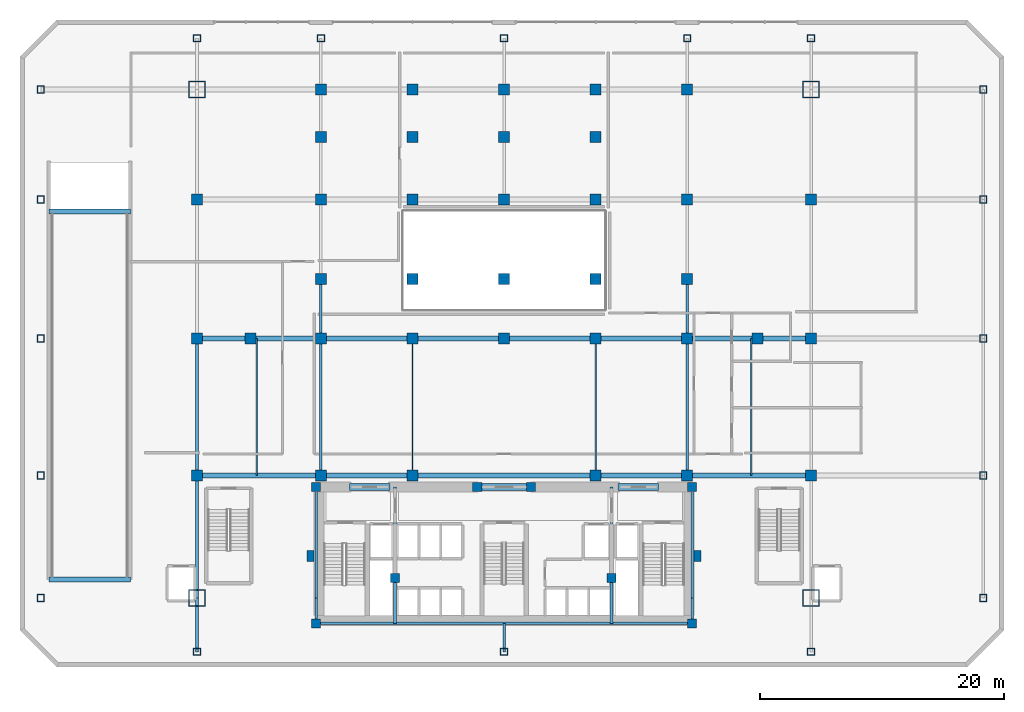
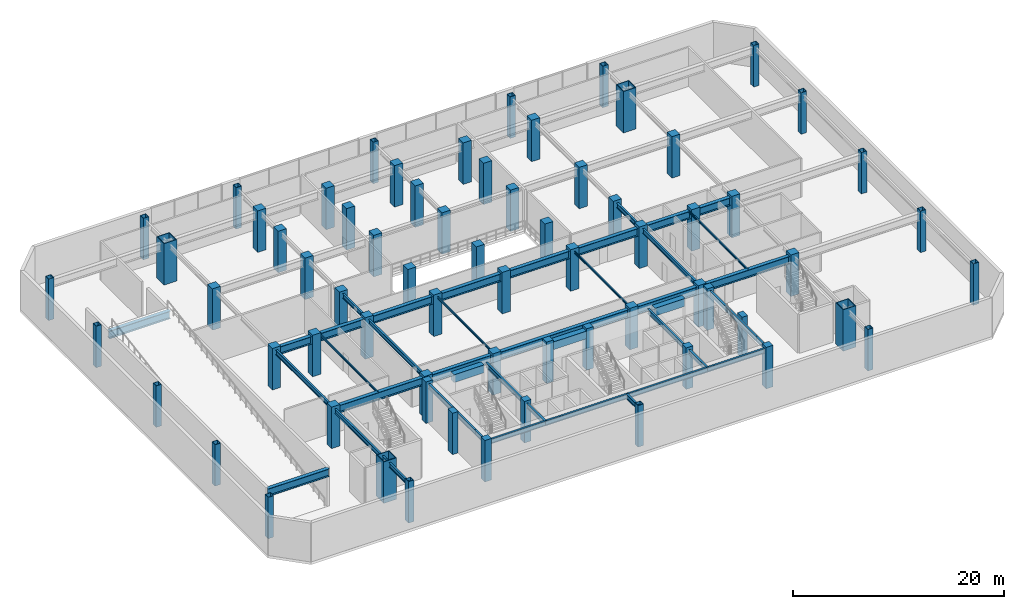
# One storey, part 1 of 15: 68 columns, 41 beams.
"""IFC4 building model written with IfcOpenShell, lengths in metres."""

from ifc_helpers import new_model, si_unit, direction, frame, origin, origin_2d, place, context, subcontext, project, spatial, rectangle, hollow_rectangle, i_section, extrude, material, material_profile, profile_set, type_object, element, save


model = new_model("IFC4")

# Units and contexts
model_context = context("Model", 3, precision=1e-05, world=origin(), true_north=direction((0.0, 1.0)))
body_context = subcontext(model_context, "Body", "Model", "MODEL_VIEW")
ifc_project = project(units=[si_unit("LENGTHUNIT", "METRE"), si_unit("AREAUNIT", "SQUARE_METRE"), si_unit("VOLUMEUNIT", "CUBIC_METRE"), si_unit("PLANEANGLEUNIT", "RADIAN"), si_unit("MASSUNIT", "GRAM", prefix="KILO")], contexts=[model_context])

# Site, building, storey
site_placement = place(None, origin())
site = spatial("IfcSite", under=ifc_project, at=site_placement, CompositionType="ELEMENT")
building_placement = place(site_placement, origin())
building = spatial("IfcBuilding", under=site, at=building_placement, Name="Ventersveld Concourse Tower", CompositionType="ELEMENT")
storey_placement = place(building_placement, frame((0.0, 0.0, 5.39990234375)))
storey = spatial("IfcBuildingStorey", under=building, at=storey_placement, Name="L01", CompositionType="ELEMENT", Elevation=5.39990234375)

# Columns
ifc_material_1 = material(Name="Structural steel S355ML", Category="steel")
ifc_material_profile_1 = material_profile(ifc_material_1, hollow_rectangle(XDim=0.60009765625, YDim=0.60009765625, WallThickness=0.0400390625, at=origin_2d()), Name="BOX 600x600x40")
ifc_profile_set_1 = profile_set([ifc_material_profile_1], Name="Structural steel S355ML")
column_type_1 = type_object("IfcColumnType", Name="COL-BOX600", PredefinedType="COLUMN", material=ifc_profile_set_1)
for number, where, z_axis, x_axis, name in (
    (1, (-9.199951171875, 2.35009765625, 0.0), (0.0, 0.0, 1.0), (1.0, 0.0, 0.0), "L01 Podium Perimeter Column 01"),
    (2, (-9.199951171875, 12.39990234375, 0.0), (0.0, 0.0, 1.0), (1.0, 0.0, 0.0), "L01 Podium Perimeter Column 02"),
    (3, (-9.199951171875, 23.60009765625, 0.0), (0.0, 0.0, 1.0), (1.0, 0.0, 0.0), "L01 Podium Perimeter Column 03"),
    (4, (-9.199951171875, 35.0, 0.0), (0.0, 0.0, 1.0), (1.0, 0.0, 0.0), "L01 Podium Perimeter Column 04"),
    (5, (-9.199951171875, 44.0, 0.0), (0.0, 0.0, 1.0), (1.0, 0.0, 0.0), "L01 Podium Perimeter Column 05"),
    (6, (68.0, 2.35009765625, 0.0), (0.0, 0.0, 1.0), (1.0, 0.0, 0.0), "L01 Podium Perimeter Column 06"),
    (7, (68.0, 12.39990234375, 0.0), (0.0, 0.0, 1.0), (1.0, 0.0, 0.0), "L01 Podium Perimeter Column 07"),
    (8, (68.0, 23.60009765625, 0.0), (0.0, 0.0, 1.0), (1.0, 0.0, 0.0), "L01 Podium Perimeter Column 08"),
    (9, (68.0, 35.0, 0.0), (0.0, 0.0, 1.0), (1.0, 0.0, 0.0), "L01 Podium Perimeter Column 09"),
    (10, (68.0, 44.0, 0.0), (0.0, 0.0, 1.0), (1.0, 0.0, 0.0), "L01 Podium Perimeter Column 10"),
    (11, (3.60009765625, 48.199951171875, 0.0), (0.0, 0.0, 1.0), (1.0, 0.0, 0.0), "L01 Podium Perimeter Column 11"),
    (12, (13.75, 48.199951171875, 0.0), (0.0, 0.0, 1.0), (1.0, 0.0, 0.0), "L01 Podium Perimeter Column 12"),
    (13, (28.75, 48.199951171875, 0.0), (0.0, 0.0, 1.0), (1.0, 0.0, 0.0), "L01 Podium Perimeter Column 13"),
    (14, (43.75, 48.199951171875, 0.0), (0.0, 0.0, 1.0), (1.0, 0.0, 0.0), "L01 Podium Perimeter Column 14"),
    (15, (53.89990234375, 48.199951171875, 0.0), (0.0, 0.0, 1.0), (1.0, 0.0, 0.0), "L01 Podium Perimeter Column 15"),
    (16, (3.60009765625, -2.050048828125, 0.0), (0.0, 0.0, 1.0), (1.0, 0.0, 0.0), "L01 Podium Perimeter Column 16"),
    (17, (28.75, -2.050048828125, 0.0), (0.0, 0.0, 1.0), (1.0, 0.0, 0.0), "L01 Podium Perimeter Column 17"),
    (18, (53.89990234375, -2.050048828125, 0.0), (0.0, 0.0, 1.0), (1.0, 0.0, 0.0), "L01 Podium Perimeter Column 18"),
):
    element("IfcColumn", number, at=place(storey_placement, frame(where, z_axis=z_axis, x_axis=x_axis)), inside=storey, type_object=column_type_1, Name=name, PredefinedType="COLUMN", context=body_context, shape_type="SweptSolid", body=[
        extrude(hollow_rectangle(XDim=0.60009765625, YDim=0.60009765625, WallThickness=0.0400390625, at=origin_2d()), origin(), (0.0, 0.0, 1.0), 4.800048828125),
    ])
ifc_material_2 = material(Name="Concrete C50/60", Category="concrete")
ifc_material_profile_2 = material_profile(ifc_material_2, rectangle(XDim=0.75, YDim=0.75, at=origin_2d()), Name="RC 750x750")
ifc_profile_set_2 = profile_set([ifc_material_profile_2], Name="Concrete C50/60")
column_type_2 = type_object("IfcColumnType", Name="COL-RC750", PredefinedType="COLUMN", material=ifc_profile_set_2)
for number, where, z_axis, x_axis, name in (
    (19, (13.35009765625, 0.280029296875, 0.0), (0.0, 0.0, 1.0), (1.0, 0.0, 0.0), "L01 Core Spine Column CC-SW"),
    (20, (44.14990234375, 0.280029296875, 0.0), (0.0, 0.0, 1.0), (1.0, 0.0, 0.0), "L01 Core Spine Column CC-SE"),
    (21, (13.35009765625, 11.449951171875, 0.0), (0.0, 0.0, 1.0), (1.0, 0.0, 0.0), "L01 Core Spine Column CC-NW"),
    (22, (44.14990234375, 11.449951171875, 0.0), (0.0, 0.0, 1.0), (1.0, 0.0, 0.0), "L01 Core Spine Column CC-NE"),
    (23, (19.820068359375, 4.0, 0.0), (0.0, 0.0, 1.0), (1.0, 0.0, 0.0), "L01 Core Spine Column CM-1"),
    (24, (37.550048828125, 4.0, 0.0), (0.0, 0.0, 1.0), (1.0, 0.0, 0.0), "L01 Core Spine Column CM-2"),
    (25, (26.550048828125, 11.449951171875, 0.0), (0.0, 0.0, 1.0), (1.0, 0.0, 0.0), "L01 Core Spine Column CM-3"),
    (26, (30.949951171875, 11.449951171875, 0.0), (0.0, 0.0, 1.0), (1.0, 0.0, 0.0), "L01 Core Spine Column CM-4"),
):
    element("IfcColumn", number, at=place(storey_placement, frame(where, z_axis=z_axis, x_axis=x_axis)), inside=storey, type_object=column_type_2, Name=name, PredefinedType="COLUMN", context=body_context, shape_type="SweptSolid", body=[
        extrude(rectangle(XDim=0.75, YDim=0.75, at=origin_2d()), origin(), (0.0, 0.0, 1.0), 4.800048828125),
    ])
ifc_material_3 = material(Name="Concrete C60/75", Category="concrete")
ifc_material_profile_3 = material_profile(ifc_material_3, rectangle(XDim=0.89990234375, YDim=0.89990234375, at=origin_2d()), Name="RC 900x900")
ifc_profile_set_3 = profile_set([ifc_material_profile_3], Name="Concrete C60/75")
column_type_3 = type_object("IfcColumnType", Name="COL-RC900", PredefinedType="COLUMN", material=ifc_profile_set_3)
for number, where, z_axis, x_axis, name in (
    (27, (3.60009765625, 12.39990234375, 0.0), (0.0, 0.0, 1.0), (1.0, 0.0, 0.0), "L01 Station Grid Column G1B-C"),
    (28, (3.60009765625, 23.60009765625, 0.0), (0.0, 0.0, 1.0), (1.0, 0.0, 0.0), "L01 Station Grid Column G1B-D"),
    (29, (3.60009765625, 35.0, 0.0), (0.0, 0.0, 1.0), (1.0, 0.0, 0.0), "L01 Station Grid Column G1B-E"),
    (30, (13.75, 12.39990234375, 0.0), (0.0, 0.0, 1.0), (1.0, 0.0, 0.0), "L01 Station Grid Column G3-C"),
    (31, (13.75, 23.60009765625, 0.0), (0.0, 0.0, 1.0), (1.0, 0.0, 0.0), "L01 Station Grid Column G3-D"),
    (32, (13.75, 35.0, 0.0), (0.0, 0.0, 1.0), (1.0, 0.0, 0.0), "L01 Station Grid Column G3-E"),
    (33, (13.75, 44.0, 0.0), (0.0, 0.0, 1.0), (1.0, 0.0, 0.0), "L01 Station Grid Column G3-F"),
    (34, (28.75, 23.60009765625, 0.0), (0.0, 0.0, 1.0), (1.0, 0.0, 0.0), "L01 Station Grid Column G5-D"),
    (35, (28.75, 35.0, 0.0), (0.0, 0.0, 1.0), (1.0, 0.0, 0.0), "L01 Station Grid Column G5-E"),
    (36, (28.75, 44.0, 0.0), (0.0, 0.0, 1.0), (1.0, 0.0, 0.0), "L01 Station Grid Column G5-F"),
    (37, (43.75, 12.39990234375, 0.0), (0.0, 0.0, 1.0), (1.0, 0.0, 0.0), "L01 Station Grid Column G7-C"),
    (38, (43.75, 23.60009765625, 0.0), (0.0, 0.0, 1.0), (1.0, 0.0, 0.0), "L01 Station Grid Column G7-D"),
    (39, (43.75, 35.0, 0.0), (0.0, 0.0, 1.0), (1.0, 0.0, 0.0), "L01 Station Grid Column G7-E"),
    (40, (43.75, 44.0, 0.0), (0.0, 0.0, 1.0), (1.0, 0.0, 0.0), "L01 Station Grid Column G7-F"),
    (41, (53.89990234375, 12.39990234375, 0.0), (0.0, 0.0, 1.0), (1.0, 0.0, 0.0), "L01 Station Grid Column G8B-C"),
    (42, (53.89990234375, 23.60009765625, 0.0), (0.0, 0.0, 1.0), (1.0, 0.0, 0.0), "L01 Station Grid Column G8B-D"),
    (43, (53.89990234375, 35.0, 0.0), (0.0, 0.0, 1.0), (1.0, 0.0, 0.0), "L01 Station Grid Column G8B-E"),
    (44, (21.25, 12.39990234375, 0.0), (0.0, 0.0, 1.0), (1.0, 0.0, 0.0), "L01 Station Tower-Line Column G4C"),
    (45, (36.25, 12.39990234375, 0.0), (0.0, 0.0, 1.0), (1.0, 0.0, 0.0), "L01 Station Tower-Line Column G6C"),
    (46, (8.0, 23.60009765625, 0.0), (0.0, 0.0, 1.0), (1.0, 0.0, 0.0), "L01 Station Tower-Line Column G2D"),
    (47, (21.25, 23.60009765625, 0.0), (0.0, 0.0, 1.0), (1.0, 0.0, 0.0), "L01 Station Tower-Line Column G4D"),
    (48, (36.25, 23.60009765625, 0.0), (0.0, 0.0, 1.0), (1.0, 0.0, 0.0), "L01 Station Tower-Line Column G6D"),
    (49, (49.5, 23.60009765625, 0.0), (0.0, 0.0, 1.0), (1.0, 0.0, 0.0), "L01 Station Tower-Line Column G8AD"),
    (50, (13.75, 28.5, 0.0), (0.0, 0.0, 1.0), (1.0, 0.0, 0.0), "L01 Station Tower-Line Column G3DN"),
    (51, (21.25, 28.5, 0.0), (0.0, 0.0, 1.0), (1.0, 0.0, 0.0), "L01 Station Tower-Line Column G4DN"),
    (52, (28.75, 28.5, 0.0), (0.0, 0.0, 1.0), (1.0, 0.0, 0.0), "L01 Station Tower-Line Column G5DN"),
    (53, (36.25, 28.5, 0.0), (0.0, 0.0, 1.0), (1.0, 0.0, 0.0), "L01 Station Tower-Line Column G6DN"),
    (54, (43.75, 28.5, 0.0), (0.0, 0.0, 1.0), (1.0, 0.0, 0.0), "L01 Station Tower-Line Column G7DN"),
    (55, (21.25, 35.0, 0.0), (0.0, 0.0, 1.0), (1.0, 0.0, 0.0), "L01 Station Tower-Line Column G4E"),
    (56, (36.25, 35.0, 0.0), (0.0, 0.0, 1.0), (1.0, 0.0, 0.0), "L01 Station Tower-Line Column G6E"),
    (57, (13.75, 40.1201171875, 0.0), (0.0, 0.0, 1.0), (1.0, 0.0, 0.0), "L01 Station Tower-Line Column G3EM"),
    (58, (21.25, 40.1201171875, 0.0), (0.0, 0.0, 1.0), (1.0, 0.0, 0.0), "L01 Station Tower-Line Column G4EM"),
    (59, (28.75, 40.1201171875, 0.0), (0.0, 0.0, 1.0), (1.0, 0.0, 0.0), "L01 Station Tower-Line Column G5EM"),
    (60, (36.25, 40.1201171875, 0.0), (0.0, 0.0, 1.0), (1.0, 0.0, 0.0), "L01 Station Tower-Line Column G6EM"),
    (61, (21.25, 44.0, 0.0), (0.0, 0.0, 1.0), (1.0, 0.0, 0.0), "L01 Station Tower-Line Column G4F"),
    (62, (36.25, 44.0, 0.0), (0.0, 0.0, 1.0), (1.0, 0.0, 0.0), "L01 Station Tower-Line Column G6F"),
):
    element("IfcColumn", number, at=place(storey_placement, frame(where, z_axis=z_axis, x_axis=x_axis)), inside=storey, type_object=column_type_3, Name=name, PredefinedType="COLUMN", context=body_context, shape_type="SweptSolid", body=[
        extrude(rectangle(XDim=0.89990234375, YDim=0.89990234375, at=origin_2d()), origin(), (0.0, 0.0, 1.0), 4.800048828125),
    ])
ifc_material_4 = material(Name="Structural steel S460ML", Category="steel")
ifc_material_profile_4 = material_profile(ifc_material_4, hollow_rectangle(XDim=1.39990234375, YDim=1.39990234375, WallThickness=0.080078125, at=origin_2d()), Name="BOX 1400x1400x80")
ifc_profile_set_4 = profile_set([ifc_material_profile_4], Name="Structural steel S460ML")
column_type_4 = type_object("IfcColumnType", Name="MC-1400", PredefinedType="USERDEFINED", material=ifc_profile_set_4)
for number, where, z_axis, x_axis, name in (
    (63, (3.60009765625, 2.35009765625, 0.0), (0.0, 0.0, 1.0), (1.0, 0.0, 0.0), "L01 Corner Mega-Column MC-SW"),
    (64, (53.89990234375, 2.35009765625, 0.0), (0.0, 0.0, 1.0), (1.0, 0.0, 0.0), "L01 Corner Mega-Column MC-SE"),
    (65, (53.89990234375, 44.0, 0.0), (0.0, 0.0, 1.0), (1.0, 0.0, 0.0), "L01 Corner Mega-Column MC-NE"),
    (66, (3.60009765625, 44.0, 0.0), (0.0, 0.0, 1.0), (1.0, 0.0, 0.0), "L01 Corner Mega-Column MC-NW"),
):
    element("IfcColumn", number, at=place(storey_placement, frame(where, z_axis=z_axis, x_axis=x_axis)), inside=storey, type_object=column_type_4, Name=name, ObjectType="MEGA_COLUMN", PredefinedType="USERDEFINED", context=body_context, shape_type="SweptSolid", body=[
        extrude(hollow_rectangle(XDim=1.39990234375, YDim=1.39990234375, WallThickness=0.080078125, at=origin_2d()), origin(), (0.0, 0.0, 1.0), 4.800048828125),
    ])
ifc_material_profile_5 = material_profile(ifc_material_3, rectangle(XDim=0.60009765625, YDim=0.89990234375, at=origin_2d()), Name="RC 600x900")
ifc_profile_set_5 = profile_set([ifc_material_profile_5], Name="Concrete C60/75")
column_type_5 = type_object("IfcColumnType", Name="PIL-RC600x900", PredefinedType="PILASTER", material=ifc_profile_set_5)
for number, where, z_axis, x_axis, name in (
    (67, (12.89990234375, 5.800048828125, 0.0), (0.0, 0.0, 1.0), (1.0, 0.0, 0.0), "L01 Core Engaged Pilaster PIL-W"),
    (68, (44.60009765625, 5.800048828125, 0.0), (0.0, 0.0, 1.0), (1.0, 0.0, 0.0), "L01 Core Engaged Pilaster PIL-E"),
):
    element("IfcColumn", number, at=place(storey_placement, frame(where, z_axis=z_axis, x_axis=x_axis)), inside=storey, type_object=column_type_5, Name=name, PredefinedType="PILASTER", context=body_context, shape_type="SweptSolid", body=[
        extrude(rectangle(XDim=0.60009765625, YDim=0.89990234375, at=origin_2d()), origin(), (0.0, 0.0, 1.0), 4.800048828125),
    ])

# Beams
ifc_material_profile_6 = material_profile(ifc_material_3, rectangle(XDim=0.60009765625, YDim=0.89990234375, at=origin_2d()), Name="RC 600x900")
ifc_profile_set_6 = profile_set([ifc_material_profile_6], Name="Concrete C60/75")
beam_type_1 = type_object("IfcBeamType", Name="CB-RC600x900L", PredefinedType="LINTEL", material=ifc_profile_set_6)
beam_1_placement = place(storey_placement, frame((16.10009765625, 11.449951171875, 4.050048828125), z_axis=(1.0, 0.0, 0.0), x_axis=(0.0, 1.0, 0.0)))
element("IfcBeam", 69, at=beam_1_placement, inside=storey, type_object=beam_type_1, Name="L01 Core Coupling Lintel Beam 1", PredefinedType="LINTEL", context=body_context, shape_type="SweptSolid", body=[
    extrude(rectangle(XDim=0.60009765625, YDim=0.89990234375, at=origin_2d()), origin(), (0.0, 0.0, 1.0), 3.2998046875),
])
beam_2_placement = place(storey_placement, frame((26.5, 11.449951171875, 4.050048828125), z_axis=(1.0, 0.0, 0.0), x_axis=(0.0, 1.0, 0.0)))
element("IfcBeam", 70, at=beam_2_placement, inside=storey, type_object=beam_type_1, Name="L01 Core Coupling Lintel Beam 2", PredefinedType="LINTEL", context=body_context, shape_type="SweptSolid", body=[
    extrude(rectangle(XDim=0.60009765625, YDim=0.89990234375, at=origin_2d()), origin(), (0.0, 0.0, 1.0), 4.5),
])
beam_3_placement = place(storey_placement, frame((38.10009765625, 11.449951171875, 4.050048828125), z_axis=(1.0, 0.0, 0.0), x_axis=(0.0, 1.0, 0.0)))
element("IfcBeam", 71, at=beam_3_placement, inside=storey, type_object=beam_type_1, Name="L01 Core Coupling Lintel Beam 3", PredefinedType="LINTEL", context=body_context, shape_type="SweptSolid", body=[
    extrude(rectangle(XDim=0.60009765625, YDim=0.89990234375, at=origin_2d()), origin(), (0.0, 0.0, 1.0), 3.2998046875),
])
ifc_material_5 = material(Name="Structural steel S355J2", Category="steel")
ifc_material_profile_7 = material_profile(ifc_material_5, i_section(OverallWidth=0.39990234375, OverallDepth=0.89990234375, WebThickness=0.02197265625, FlangeThickness=0.035888671875, at=origin_2d()), Name="PG 900x400x36")
ifc_profile_set_7 = profile_set([ifc_material_profile_7], Name="Structural steel S355J2")
beam_type_2 = type_object("IfcBeamType", Name="GRD-PG900", PredefinedType="USERDEFINED", material=ifc_profile_set_7)
beam_4_placement = place(storey_placement, frame((3.60009765625, 12.39990234375, 4.050048828125), z_axis=(1.0, 0.0, 0.0), x_axis=(0.0, 1.0, 0.0)))
element("IfcBeam", 72, at=beam_4_placement, inside=storey, type_object=beam_type_2, Name="L01 Podium Primary Girder Y=12.4m", ObjectType="GIRDER", PredefinedType="USERDEFINED", context=body_context, shape_type="SweptSolid", body=[
    extrude(i_section(OverallWidth=0.39990234375, OverallDepth=0.89990234375, WebThickness=0.02197265625, FlangeThickness=0.035888671875, at=origin_2d()), origin(), (0.0, 0.0, 1.0), 10.14990234375),
])
beam_5_placement = place(storey_placement, frame((13.75, 12.39990234375, 4.050048828125), z_axis=(1.0, 0.0, 0.0), x_axis=(0.0, 1.0, 0.0)))
element("IfcBeam", 73, at=beam_5_placement, inside=storey, type_object=beam_type_2, Name="L01 Podium Primary Girder Y=12.4m", ObjectType="GIRDER", PredefinedType="USERDEFINED", context=body_context, shape_type="SweptSolid", body=[
    extrude(i_section(OverallWidth=0.39990234375, OverallDepth=0.89990234375, WebThickness=0.02197265625, FlangeThickness=0.035888671875, at=origin_2d()), origin(), (0.0, 0.0, 1.0), 7.5),
])
beam_6_placement = place(storey_placement, frame((21.25, 12.39990234375, 4.050048828125), z_axis=(1.0, 0.0, 0.0), x_axis=(0.0, 1.0, 0.0)))
element("IfcBeam", 74, at=beam_6_placement, inside=storey, type_object=beam_type_2, Name="L01 Podium Primary Girder Y=12.4m", ObjectType="GIRDER", PredefinedType="USERDEFINED", context=body_context, shape_type="SweptSolid", body=[
    extrude(i_section(OverallWidth=0.39990234375, OverallDepth=0.89990234375, WebThickness=0.02197265625, FlangeThickness=0.035888671875, at=origin_2d()), origin(), (0.0, 0.0, 1.0), 15.0),
])
beam_7_placement = place(storey_placement, frame((36.25, 12.39990234375, 4.050048828125), z_axis=(1.0, 0.0, 0.0), x_axis=(0.0, 1.0, 0.0)))
element("IfcBeam", 75, at=beam_7_placement, inside=storey, type_object=beam_type_2, Name="L01 Podium Primary Girder Y=12.4m", ObjectType="GIRDER", PredefinedType="USERDEFINED", context=body_context, shape_type="SweptSolid", body=[
    extrude(i_section(OverallWidth=0.39990234375, OverallDepth=0.89990234375, WebThickness=0.02197265625, FlangeThickness=0.035888671875, at=origin_2d()), origin(), (0.0, 0.0, 1.0), 7.5),
])
beam_8_placement = place(storey_placement, frame((43.75, 12.39990234375, 4.050048828125), z_axis=(1.0, 0.0, 0.0), x_axis=(0.0, 1.0, 0.0)))
element("IfcBeam", 76, at=beam_8_placement, inside=storey, type_object=beam_type_2, Name="L01 Podium Primary Girder Y=12.4m", ObjectType="GIRDER", PredefinedType="USERDEFINED", context=body_context, shape_type="SweptSolid", body=[
    extrude(i_section(OverallWidth=0.39990234375, OverallDepth=0.89990234375, WebThickness=0.02197265625, FlangeThickness=0.035888671875, at=origin_2d()), origin(), (0.0, 0.0, 1.0), 10.14990234375),
])
beam_9_placement = place(storey_placement, frame((3.60009765625, 23.60009765625, 4.050048828125), z_axis=(1.0, 0.0, 0.0), x_axis=(0.0, 1.0, 0.0)))
element("IfcBeam", 77, at=beam_9_placement, inside=storey, type_object=beam_type_2, Name="L01 Podium Primary Girder Y=23.6m", ObjectType="GIRDER", PredefinedType="USERDEFINED", context=body_context, shape_type="SweptSolid", body=[
    extrude(i_section(OverallWidth=0.39990234375, OverallDepth=0.89990234375, WebThickness=0.02197265625, FlangeThickness=0.035888671875, at=origin_2d()), origin(), (0.0, 0.0, 1.0), 4.39990234375),
])
beam_10_placement = place(storey_placement, frame((8.0, 23.60009765625, 4.050048828125), z_axis=(1.0, 0.0, 0.0), x_axis=(0.0, 1.0, 0.0)))
element("IfcBeam", 78, at=beam_10_placement, inside=storey, type_object=beam_type_2, Name="L01 Podium Primary Girder Y=23.6m", ObjectType="GIRDER", PredefinedType="USERDEFINED", context=body_context, shape_type="SweptSolid", body=[
    extrude(i_section(OverallWidth=0.39990234375, OverallDepth=0.89990234375, WebThickness=0.02197265625, FlangeThickness=0.035888671875, at=origin_2d()), origin(), (0.0, 0.0, 1.0), 5.75),
])
for number, where, z_axis, x_axis, name in (
    (79, (13.75, 23.60009765625, 4.050048828125), (1.0, 0.0, 0.0), (0.0, 1.0, 0.0), "L01 Podium Primary Girder Y=23.6m"),
    (80, (21.25, 23.60009765625, 4.050048828125), (1.0, 0.0, 0.0), (0.0, 1.0, 0.0), "L01 Podium Primary Girder Y=23.6m"),
    (81, (28.75, 23.60009765625, 4.050048828125), (1.0, 0.0, 0.0), (0.0, 1.0, 0.0), "L01 Podium Primary Girder Y=23.6m"),
    (82, (36.25, 23.60009765625, 4.050048828125), (1.0, 0.0, 0.0), (0.0, 1.0, 0.0), "L01 Podium Primary Girder Y=23.6m"),
):
    element("IfcBeam", number, at=place(storey_placement, frame(where, z_axis=z_axis, x_axis=x_axis)), inside=storey, type_object=beam_type_2, Name=name, ObjectType="GIRDER", PredefinedType="USERDEFINED", context=body_context, shape_type="SweptSolid", body=[
        extrude(i_section(OverallWidth=0.39990234375, OverallDepth=0.89990234375, WebThickness=0.02197265625, FlangeThickness=0.035888671875, at=origin_2d()), origin(), (0.0, 0.0, 1.0), 7.5),
    ])
beam_11_placement = place(storey_placement, frame((43.75, 23.60009765625, 4.050048828125), z_axis=(1.0, 0.0, 0.0), x_axis=(0.0, 1.0, 0.0)))
element("IfcBeam", 83, at=beam_11_placement, inside=storey, type_object=beam_type_2, Name="L01 Podium Primary Girder Y=23.6m", ObjectType="GIRDER", PredefinedType="USERDEFINED", context=body_context, shape_type="SweptSolid", body=[
    extrude(i_section(OverallWidth=0.39990234375, OverallDepth=0.89990234375, WebThickness=0.02197265625, FlangeThickness=0.035888671875, at=origin_2d()), origin(), (0.0, 0.0, 1.0), 5.75),
])
beam_12_placement = place(storey_placement, frame((49.5, 23.60009765625, 4.050048828125), z_axis=(1.0, 0.0, 0.0), x_axis=(0.0, 1.0, 0.0)))
element("IfcBeam", 84, at=beam_12_placement, inside=storey, type_object=beam_type_2, Name="L01 Podium Primary Girder Y=23.6m", ObjectType="GIRDER", PredefinedType="USERDEFINED", context=body_context, shape_type="SweptSolid", body=[
    extrude(i_section(OverallWidth=0.39990234375, OverallDepth=0.89990234375, WebThickness=0.02197265625, FlangeThickness=0.035888671875, at=origin_2d()), origin(), (0.0, 0.0, 1.0), 4.39990234375),
])
for number, where, z_axis, x_axis, name in (
    (85, (-8.5400390625, 34.0, 4.0), (1.0, 0.0, 0.0), (0.0, 1.0, 0.0), "L01-L02 Vehicle Ramp Head Landing Girder"),
    (86, (-8.5400390625, 3.8798828125, 4.0), (1.0, 0.0, 0.0), (0.0, 1.0, 0.0), "L02 Vehicle Ramp Toe Header Girder"),
):
    element("IfcBeam", number, at=place(storey_placement, frame(where, z_axis=z_axis, x_axis=x_axis)), inside=storey, type_object=beam_type_2, Name=name, ObjectType="GIRDER", PredefinedType="USERDEFINED", context=body_context, shape_type="SweptSolid", body=[
        extrude(i_section(OverallWidth=0.39990234375, OverallDepth=0.89990234375, WebThickness=0.02197265625, FlangeThickness=0.035888671875, at=origin_2d()), origin(), (0.0, 0.0, 1.0), 6.679931640625),
    ])
ifc_material_profile_8 = material_profile(ifc_material_5, i_section(OverallWidth=0.209228515625, OverallDepth=0.533203125, WebThickness=0.010009765625, FlangeThickness=0.015625, FilletRadius=0.0126953125, at=origin_2d()), Name="UB 533x210x92")
ifc_profile_set_8 = profile_set([ifc_material_profile_8], Name="Structural steel S355J2")
beam_type_3 = type_object("IfcBeamType", Name="GRD-UB533", PredefinedType="T_BEAM", material=ifc_profile_set_8)
beam_13_placement = place(storey_placement, frame((3.60009765625, -2.050048828125, 4.2333984375), z_axis=(0.0, 1.0, 0.0), x_axis=(-1.0, 0.0, 0.0)))
element("IfcBeam", 87, at=beam_13_placement, inside=storey, type_object=beam_type_3, Name="L01 Podium N-S Girder X=3.60m", PredefinedType="T_BEAM", context=body_context, shape_type="SweptSolid", body=[
    extrude(i_section(OverallWidth=0.209228515625, OverallDepth=0.533203125, WebThickness=0.010009765625, FlangeThickness=0.015625, FilletRadius=0.0126953125, at=origin_2d()), origin(), (0.0, 0.0, 1.0), 4.400146484375),
])
beam_14_placement = place(storey_placement, frame((3.60009765625, 2.35009765625, 4.2333984375), z_axis=(0.0, 1.0, 0.0), x_axis=(-1.0, 0.0, 0.0)))
element("IfcBeam", 88, at=beam_14_placement, inside=storey, type_object=beam_type_3, Name="L01 Podium N-S Girder X=3.60m", PredefinedType="T_BEAM", context=body_context, shape_type="SweptSolid", body=[
    extrude(i_section(OverallWidth=0.209228515625, OverallDepth=0.533203125, WebThickness=0.010009765625, FlangeThickness=0.015625, FilletRadius=0.0126953125, at=origin_2d()), origin(), (0.0, 0.0, 1.0), 10.0498046875),
])
for number, where, z_axis, x_axis, name in (
    (89, (3.60009765625, 12.39990234375, 4.2333984375), (0.0, 1.0, 0.0), (-1.0, 0.0, 0.0), "L01 Podium N-S Girder X=3.60m"),
    (90, (13.75, 12.39990234375, 4.2333984375), (0.0, 1.0, 0.0), (-1.0, 0.0, 0.0), "L01 Podium N-S Girder X=13.75m"),
):
    element("IfcBeam", number, at=place(storey_placement, frame(where, z_axis=z_axis, x_axis=x_axis)), inside=storey, type_object=beam_type_3, Name=name, PredefinedType="T_BEAM", context=body_context, shape_type="SweptSolid", body=[
        extrude(i_section(OverallWidth=0.209228515625, OverallDepth=0.533203125, WebThickness=0.010009765625, FlangeThickness=0.015625, FilletRadius=0.0126953125, at=origin_2d()), origin(), (0.0, 0.0, 1.0), 11.2001953125),
    ])
beam_15_placement = place(storey_placement, frame((13.75, 23.60009765625, 4.2333984375), z_axis=(0.0, 1.0, 0.0), x_axis=(-1.0, 0.0, 0.0)))
element("IfcBeam", 91, at=beam_15_placement, inside=storey, type_object=beam_type_3, Name="L01 Podium N-S Girder X=13.75m", PredefinedType="T_BEAM", context=body_context, shape_type="SweptSolid", body=[
    extrude(i_section(OverallWidth=0.209228515625, OverallDepth=0.533203125, WebThickness=0.010009765625, FlangeThickness=0.015625, FilletRadius=0.0126953125, at=origin_2d()), origin(), (0.0, 0.0, 1.0), 4.89990234375),
])
beam_16_placement = place(storey_placement, frame((28.75, -2.050048828125, 4.2333984375), z_axis=(0.0, 1.0, 0.0), x_axis=(-1.0, 0.0, 0.0)))
element("IfcBeam", 92, at=beam_16_placement, inside=storey, type_object=beam_type_3, Name="L01 Podium N-S Girder X=28.75m", PredefinedType="T_BEAM", context=body_context, shape_type="SweptSolid", body=[
    extrude(i_section(OverallWidth=0.209228515625, OverallDepth=0.533203125, WebThickness=0.010009765625, FlangeThickness=0.015625, FilletRadius=0.0126953125, at=origin_2d()), origin(), (0.0, 0.0, 1.0), 2.330078125),
])
beam_17_placement = place(storey_placement, frame((43.75, 12.39990234375, 4.2333984375), z_axis=(0.0, 1.0, 0.0), x_axis=(-1.0, 0.0, 0.0)))
element("IfcBeam", 93, at=beam_17_placement, inside=storey, type_object=beam_type_3, Name="L01 Podium N-S Girder X=43.75m", PredefinedType="T_BEAM", context=body_context, shape_type="SweptSolid", body=[
    extrude(i_section(OverallWidth=0.209228515625, OverallDepth=0.533203125, WebThickness=0.010009765625, FlangeThickness=0.015625, FilletRadius=0.0126953125, at=origin_2d()), origin(), (0.0, 0.0, 1.0), 11.2001953125),
])
beam_18_placement = place(storey_placement, frame((43.75, 23.60009765625, 4.2333984375), z_axis=(0.0, 1.0, 0.0), x_axis=(-1.0, 0.0, 0.0)))
element("IfcBeam", 94, at=beam_18_placement, inside=storey, type_object=beam_type_3, Name="L01 Podium N-S Girder X=43.75m", PredefinedType="T_BEAM", context=body_context, shape_type="SweptSolid", body=[
    extrude(i_section(OverallWidth=0.209228515625, OverallDepth=0.533203125, WebThickness=0.010009765625, FlangeThickness=0.015625, FilletRadius=0.0126953125, at=origin_2d()), origin(), (0.0, 0.0, 1.0), 4.89990234375),
])
ifc_material_profile_9 = material_profile(ifc_material_5, i_section(OverallWidth=0.2119140625, OverallDepth=0.54443359375, WebThickness=0.0126953125, FlangeThickness=0.021240234375, FilletRadius=0.0126953125, at=origin_2d()), Name="UB 533x210x122")
ifc_profile_set_9 = profile_set([ifc_material_profile_9], Name="Structural steel S355J2")
beam_type_4 = type_object("IfcBeamType", Name="GRD-UB533H", PredefinedType="T_BEAM", material=ifc_profile_set_9)
beam_19_placement = place(storey_placement, frame((13.35009765625, 0.280029296875, 4.227783203125), z_axis=(0.0, 1.0, 0.0), x_axis=(-1.0, 0.0, 0.0)))
element("IfcBeam", 95, at=beam_19_placement, inside=storey, type_object=beam_type_4, Name="L01 Core West Tie Beam S", PredefinedType="T_BEAM", context=body_context, shape_type="SweptSolid", body=[
    extrude(i_section(OverallWidth=0.2119140625, OverallDepth=0.54443359375, WebThickness=0.0126953125, FlangeThickness=0.021240234375, FilletRadius=0.0126953125, at=origin_2d()), origin(), (0.0, 0.0, 1.0), 2.070068359375),
])
beam_20_placement = place(storey_placement, frame((13.35009765625, 2.35009765625, 4.227783203125), z_axis=(0.0, 1.0, 0.0), x_axis=(-1.0, 0.0, 0.0)))
element("IfcBeam", 96, at=beam_20_placement, inside=storey, type_object=beam_type_4, Name="L01 Core West Tie Beam N", PredefinedType="T_BEAM", context=body_context, shape_type="SweptSolid", body=[
    extrude(i_section(OverallWidth=0.2119140625, OverallDepth=0.54443359375, WebThickness=0.0126953125, FlangeThickness=0.021240234375, FilletRadius=0.0126953125, at=origin_2d()), origin(), (0.0, 0.0, 1.0), 9.099853515625),
])
beam_21_placement = place(storey_placement, frame((44.14990234375, 0.280029296875, 4.227783203125), z_axis=(0.0, 1.0, 0.0), x_axis=(-1.0, 0.0, 0.0)))
element("IfcBeam", 97, at=beam_21_placement, inside=storey, type_object=beam_type_4, Name="L01 Core East Tie Beam S", PredefinedType="T_BEAM", context=body_context, shape_type="SweptSolid", body=[
    extrude(i_section(OverallWidth=0.2119140625, OverallDepth=0.54443359375, WebThickness=0.0126953125, FlangeThickness=0.021240234375, FilletRadius=0.0126953125, at=origin_2d()), origin(), (0.0, 0.0, 1.0), 2.070068359375),
])
beam_22_placement = place(storey_placement, frame((44.14990234375, 2.35009765625, 4.227783203125), z_axis=(0.0, 1.0, 0.0), x_axis=(-1.0, 0.0, 0.0)))
element("IfcBeam", 98, at=beam_22_placement, inside=storey, type_object=beam_type_4, Name="L01 Core East Tie Beam N", PredefinedType="T_BEAM", context=body_context, shape_type="SweptSolid", body=[
    extrude(i_section(OverallWidth=0.2119140625, OverallDepth=0.54443359375, WebThickness=0.0126953125, FlangeThickness=0.021240234375, FilletRadius=0.0126953125, at=origin_2d()), origin(), (0.0, 0.0, 1.0), 9.099853515625),
])
beam_23_placement = place(storey_placement, frame((13.35009765625, 0.280029296875, 4.227783203125), z_axis=(1.0, 0.0, 0.0), x_axis=(0.0, 1.0, 0.0)))
element("IfcBeam", 99, at=beam_23_placement, inside=storey, type_object=beam_type_4, Name="L01 Core South Tie Beam W", PredefinedType="T_BEAM", context=body_context, shape_type="SweptSolid", body=[
    extrude(i_section(OverallWidth=0.2119140625, OverallDepth=0.54443359375, WebThickness=0.0126953125, FlangeThickness=0.021240234375, FilletRadius=0.0126953125, at=origin_2d()), origin(), (0.0, 0.0, 1.0), 6.469970703125),
])
beam_24_placement = place(storey_placement, frame((19.820068359375, 0.280029296875, 4.227783203125), z_axis=(1.0, 0.0, 0.0), x_axis=(0.0, 1.0, 0.0)))
element("IfcBeam", 100, at=beam_24_placement, inside=storey, type_object=beam_type_4, Name="L01 Core South Tie Beam C", PredefinedType="T_BEAM", context=body_context, shape_type="SweptSolid", body=[
    extrude(i_section(OverallWidth=0.2119140625, OverallDepth=0.54443359375, WebThickness=0.0126953125, FlangeThickness=0.021240234375, FilletRadius=0.0126953125, at=origin_2d()), origin(), (0.0, 0.0, 1.0), 17.72998046875),
])
beam_25_placement = place(storey_placement, frame((37.550048828125, 0.280029296875, 4.227783203125), z_axis=(1.0, 0.0, 0.0), x_axis=(0.0, 1.0, 0.0)))
element("IfcBeam", 101, at=beam_25_placement, inside=storey, type_object=beam_type_4, Name="L01 Core South Tie Beam E", PredefinedType="T_BEAM", context=body_context, shape_type="SweptSolid", body=[
    extrude(i_section(OverallWidth=0.2119140625, OverallDepth=0.54443359375, WebThickness=0.0126953125, FlangeThickness=0.021240234375, FilletRadius=0.0126953125, at=origin_2d()), origin(), (0.0, 0.0, 1.0), 6.599853515625),
])
beam_26_placement = place(storey_placement, frame((19.820068359375, 0.280029296875, 4.227783203125), z_axis=(0.0, 1.0, 0.0), x_axis=(-1.0, 0.0, 0.0)))
element("IfcBeam", 102, at=beam_26_placement, inside=storey, type_object=beam_type_4, Name="L01 Core Spine N-S Tie Beam W1", PredefinedType="T_BEAM", context=body_context, shape_type="SweptSolid", body=[
    extrude(i_section(OverallWidth=0.2119140625, OverallDepth=0.54443359375, WebThickness=0.0126953125, FlangeThickness=0.021240234375, FilletRadius=0.0126953125, at=origin_2d()), origin(), (0.0, 0.0, 1.0), 3.719970703125),
])
beam_27_placement = place(storey_placement, frame((19.820068359375, 4.0, 4.227783203125), z_axis=(0.0, 1.0, 0.0), x_axis=(-1.0, 0.0, 0.0)))
element("IfcBeam", 103, at=beam_27_placement, inside=storey, type_object=beam_type_4, Name="L01 Core Spine N-S Tie Beam W2", PredefinedType="T_BEAM", context=body_context, shape_type="SweptSolid", body=[
    extrude(i_section(OverallWidth=0.2119140625, OverallDepth=0.54443359375, WebThickness=0.0126953125, FlangeThickness=0.021240234375, FilletRadius=0.0126953125, at=origin_2d()), origin(), (0.0, 0.0, 1.0), 7.449951171875),
])
beam_28_placement = place(storey_placement, frame((37.550048828125, 0.280029296875, 4.227783203125), z_axis=(0.0, 1.0, 0.0), x_axis=(-1.0, 0.0, 0.0)))
element("IfcBeam", 104, at=beam_28_placement, inside=storey, type_object=beam_type_4, Name="L01 Core Spine N-S Tie Beam E1", PredefinedType="T_BEAM", context=body_context, shape_type="SweptSolid", body=[
    extrude(i_section(OverallWidth=0.2119140625, OverallDepth=0.54443359375, WebThickness=0.0126953125, FlangeThickness=0.021240234375, FilletRadius=0.0126953125, at=origin_2d()), origin(), (0.0, 0.0, 1.0), 3.719970703125),
])
beam_29_placement = place(storey_placement, frame((37.550048828125, 4.0, 4.227783203125), z_axis=(0.0, 1.0, 0.0), x_axis=(-1.0, 0.0, 0.0)))
element("IfcBeam", 105, at=beam_29_placement, inside=storey, type_object=beam_type_4, Name="L01 Core Spine N-S Tie Beam E2", PredefinedType="T_BEAM", context=body_context, shape_type="SweptSolid", body=[
    extrude(i_section(OverallWidth=0.2119140625, OverallDepth=0.54443359375, WebThickness=0.0126953125, FlangeThickness=0.021240234375, FilletRadius=0.0126953125, at=origin_2d()), origin(), (0.0, 0.0, 1.0), 7.449951171875),
])
ifc_material_profile_10 = material_profile(ifc_material_5, i_section(OverallWidth=0.1201171875, OverallDepth=0.239990234375, WebThickness=0.006103515625, FlangeThickness=0.009765625, FilletRadius=0.014892578125, at=origin_2d()), Name="IPE 240")
ifc_profile_set_10 = profile_set([ifc_material_profile_10], Name="Structural steel S355J2")
beam_type_5 = type_object("IfcBeamType", Name="JST-IPE240", PredefinedType="JOIST", material=ifc_profile_set_10)
for number, where, z_axis, x_axis, name in (
    (106, (8.5, 12.39990234375, 4.380126953125), (0.0, 1.0, 0.0), (-1.0, 0.0, 0.0), "L01 Podium Floor Joist X=8.50m"),
    (107, (21.25, 12.39990234375, 4.380126953125), (0.0, 1.0, 0.0), (-1.0, 0.0, 0.0), "L01 Podium Floor Joist X=21.25m"),
    (108, (36.25, 12.39990234375, 4.380126953125), (0.0, 1.0, 0.0), (-1.0, 0.0, 0.0), "L01 Podium Floor Joist X=36.25m"),
    (109, (49.0, 12.39990234375, 4.380126953125), (0.0, 1.0, 0.0), (-1.0, 0.0, 0.0), "L01 Podium Floor Joist X=49.00m"),
):
    element("IfcBeam", number, at=place(storey_placement, frame(where, z_axis=z_axis, x_axis=x_axis)), inside=storey, type_object=beam_type_5, Name=name, PredefinedType="JOIST", context=body_context, shape_type="SweptSolid", body=[
        extrude(i_section(OverallWidth=0.1201171875, OverallDepth=0.239990234375, WebThickness=0.006103515625, FlangeThickness=0.009765625, FilletRadius=0.014892578125, at=origin_2d()), origin(), (0.0, 0.0, 1.0), 11.2001953125),
    ])

save(model, "model.ifc")
